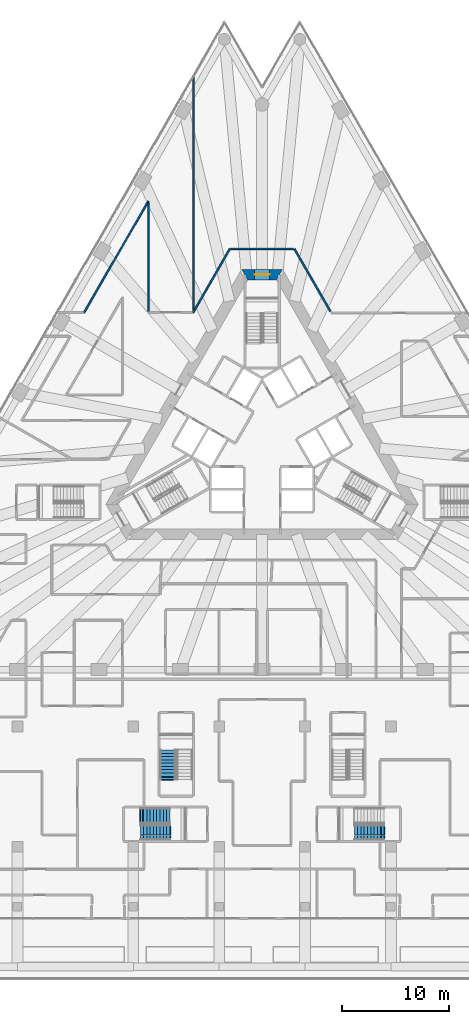
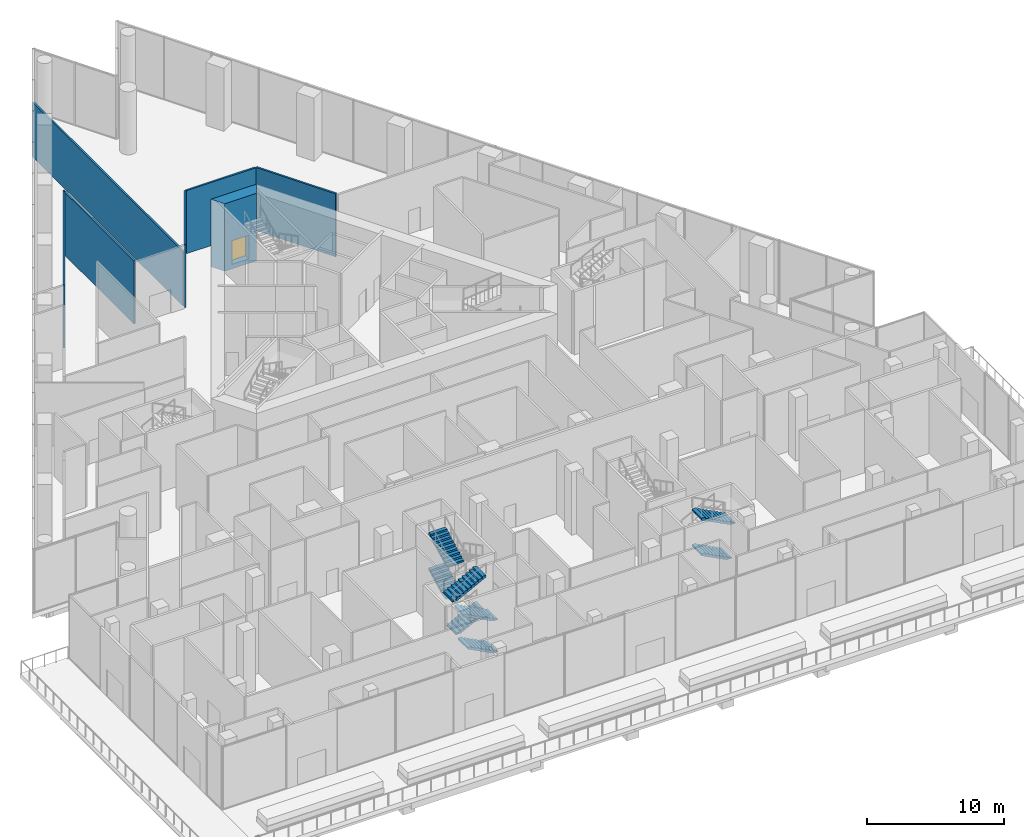
# One storey, part 29 of 36: 8 stair flights, 7 walls, 1 door, 1 opening, 3 elements without a shape of their own.
"""IFC4 building model written with IfcOpenShell, lengths in metres."""

from ifc_helpers import new_model, si_unit, direction, frame, frame_2d, origin, place, context, subcontext, project, spatial, polyline, rectangle, outline, extrude, material, layer, layer_set, type_object, element, fill, aggregate, save


model = new_model("IFC4")

# Units and contexts
model_context = context("Model", 3, precision=1e-05, world=origin(), true_north=direction((0.0, 1.0)))
body_context = subcontext(model_context, "Body", "Model", "MODEL_VIEW")
ifc_project = project(units=[si_unit("LENGTHUNIT", "METRE"), si_unit("AREAUNIT", "SQUARE_METRE"), si_unit("VOLUMEUNIT", "CUBIC_METRE"), si_unit("PLANEANGLEUNIT", "RADIAN"), si_unit("MASSUNIT", "GRAM", prefix="KILO")], contexts=[model_context])

# Site, building, storey
site_placement = place(None, origin())
site = spatial("IfcSite", under=ifc_project, at=site_placement, CompositionType="ELEMENT")
building_placement = place(site_placement, origin())
building = spatial("IfcBuilding", under=site, at=building_placement, Name="Triada Interchange Tower", CompositionType="ELEMENT")
storey_placement = place(building_placement, frame((0.0, 0.0, 8.5)))
storey = spatial("IfcBuildingStorey", under=building, at=storey_placement, Name="L01", CompositionType="ELEMENT", Elevation=8.5)

# Wall, opening, door
ifc_material_1 = material(Name="Concrete C70/85", Category="concrete")
ifc_layer_1 = layer(ifc_material_1, 1.0)
ifc_layer_set_1 = layer_set([ifc_layer_1], Name="Core wall P 1000")
wall_type_1 = type_object("IfcWallType", Name="Core wall P 1000", PredefinedType="SHEAR", material=ifc_layer_set_1)
wall_1_placement = place(storey_placement, frame((1.616943359375, 15.199951171875, -0.39990234375), z_axis=(0.0, 0.0, 1.0), x_axis=(-1.0, 0.0, 0.0)))
wall_1 = element("IfcWall", 1, at=wall_1_placement, inside=storey, type_object=wall_type_1, Name="Core wall WP01 L01", PredefinedType="SHEAR", context=body_context, shape_type="SweptSolid", body=[
    extrude(outline(polyline([(-0.2880859375, -0.5), (1.616943359375, -0.5), (3.52197265625, -0.5), (2.945068359375, 0.5), (1.6171875, 0.5), (0.2890625, 0.5), (-0.2880859375, -0.5)])), origin(), (0.0, 0.0, 1.0), 6.0),
])
opening_placement = place(wall_1_placement, frame((0.9169921875, 0.0, 0.39990234375)))
opening = element("IfcOpeningElement", 2, at=opening_placement, cuts=wall_1, Name="Opening D01-71", PredefinedType="OPENING", context=body_context, shape_type="SweptSolid", body=[
    extrude(rectangle(XDim=1.39990234375, YDim=2.10009765625, at=frame_2d((0.699951171875, 1.050048828125))), frame((0.0, 0.510009765625, 0.0), z_axis=(0.0, -1.0, 0.0), x_axis=(1.0, 0.0, 0.0)), (0.0, 0.0, 1.0), 1.02001953125),
])
ifc_material_2 = material(Name="Steel S235 door leaf", Category="steel")
door_type = type_object("IfcDoorType", Name="STAIR DOOR 1400 EI2 90-C5S200", OperationType="DOUBLE_DOOR_SINGLE_SWING", PredefinedType="DOOR", material=ifc_material_2)
door_placement = place(opening_placement, origin())
door = element("IfcDoor", 3, at=door_placement, inside=storey, type_object=door_type, Name="Door D01-71 L01", OperationType="DOUBLE_DOOR_SINGLE_SWING", OverallHeight=2.10009765625, OverallWidth=1.39990234375, PredefinedType="DOOR", context=body_context, shape_type="SweptSolid", body=[
    extrude(rectangle(XDim=1.39990234375, YDim=2.10009765625, at=frame_2d((0.699951171875, 1.050048828125))), frame((0.0, 0.02490234375, 0.0), z_axis=(0.0, -1.0, 0.0), x_axis=(1.0, 0.0, 0.0)), (0.0, 0.0, 1.0), 0.050048828125),
])
fill(opening, door)

# Walls
ifc_material_3 = material(Name="Gypsum board partition")
ifc_layer_2 = layer(ifc_material_3, 0.14990234375)
ifc_layer_set_2 = layer_set([ifc_layer_2], Name="PARTITION 150 EI 90")
wall_type_2 = type_object("IfcWallType", Name="PARTITION 150 EI 90", PredefinedType="PARTITIONING", material=ifc_layer_set_2)
wall_2_placement = place(storey_placement, frame((-16.593017578125, 11.659912109375, 0.0), z_axis=(0.0, 0.0, 1.0), x_axis=(0.499996923339, 0.866027180088, 0.0)))
element("IfcWall", 4, at=wall_2_placement, inside=storey, type_object=wall_type_2, Name="Wall L01 63", PredefinedType="PARTITIONING", context=body_context, shape_type="SweptSolid", body=[
    extrude(rectangle(XDim=11.98583984375, YDim=0.14990234375, at=frame_2d((5.992919921875, 0.0))), origin(), (0.0, 0.0, 1.0), 5.60009765625),
])
wall_3_placement = place(storey_placement, frame((-6.430908203125, 11.659912109375, 0.0), z_axis=(0.0, 0.0, 1.0), x_axis=(0.499933006778, 0.866064078884, 0.0)))
element("IfcWall", 5, at=wall_3_placement, inside=storey, type_object=wall_type_2, Name="Wall L01 89", PredefinedType="PARTITIONING", context=body_context, shape_type="SweptSolid", body=[
    extrude(rectangle(XDim=6.85888671875, YDim=0.14990234375, at=frame_2d((3.429443359375, 0.0))), origin(), (0.0, 0.0, 1.0), 5.60009765625),
])
wall_4_placement = place(storey_placement, frame((-10.60009765625, 11.735107421875, 0.0), z_axis=(0.0, 0.0, 1.0), x_axis=(0.0, 1.0, 0.0)))
element("IfcWall", 6, at=wall_4_placement, inside=storey, type_object=wall_type_2, Name="Wall L01 94", PredefinedType="PARTITIONING", context=body_context, shape_type="SweptSolid", body=[
    extrude(rectangle(XDim=10.15478515625, YDim=0.14990234375, at=frame_2d((5.077392578125, 0.0))), origin(), (0.0, 0.0, 1.0), 5.60009765625),
])
wall_5_placement = place(storey_placement, frame((-6.3779296875, 11.904052734375, 0.0), z_axis=(0.0, 0.0, 1.0), x_axis=(0.0, 1.0, 0.0)))
element("IfcWall", 7, at=wall_5_placement, inside=storey, type_object=wall_type_2, Name="Wall L01 117", PredefinedType="PARTITIONING", context=body_context, shape_type="SweptSolid", body=[
    extrude(rectangle(XDim=21.848876953125, YDim=0.14990234375, at=frame_2d((10.92431640625, 0.0))), origin(), (0.0, 0.0, 1.0), 4.85009765625),
])
wall_6_placement = place(storey_placement, frame((3.001953125, 17.60009765625, 0.0), z_axis=(0.0, 0.0, 1.0), x_axis=(0.500043638368, -0.866000207695, 0.0)))
element("IfcWall", 8, at=wall_6_placement, inside=storey, type_object=wall_type_2, Name="Wall L01 119", PredefinedType="PARTITIONING", context=body_context, shape_type="SweptSolid", body=[
    extrude(rectangle(XDim=6.71142578125, YDim=0.14990234375, at=frame_2d((3.355712890625, 0.0))), origin(), (0.0, 0.0, 1.0), 5.60009765625),
])
wall_7_placement = place(storey_placement, frame((-2.916015625, 17.60009765625, 0.0), z_axis=(0.0, 0.0, 1.0), x_axis=(1.0, 0.0, 0.0)))
element("IfcWall", 9, at=wall_7_placement, inside=storey, type_object=wall_type_2, Name="Wall L01 120", PredefinedType="PARTITIONING", context=body_context, shape_type="SweptSolid", body=[
    extrude(rectangle(XDim=5.83203125, YDim=0.14990234375, at=frame_2d((2.916015625, 0.0))), origin(), (0.0, 0.0, 1.0), 5.60009765625),
])

# Stair, stair flights
ifc_material_4 = material(Name="Concrete C35/45", Category="concrete")
stair_type = type_object("IfcStairType", Name="HALF TURN STAIR 1400", PredefinedType="HALF_TURN_STAIR", material=ifc_material_4)
stair_1_placement = place(storey_placement, origin())
stair_1 = element("IfcStair", 10, at=stair_1_placement, inside=storey, type_object=stair_type, Name="Exit stair S01-4", PredefinedType="HALF_TURN_STAIR")
stair_flight_type = type_object("IfcStairFlightType", Name="STRAIGHT STAIR FLIGHT 1400", PredefinedType="STRAIGHT", material=ifc_material_4)
stair_flight_1_placement = place(storey_placement, frame((-8.60009765625, -36.800048828125, 0.0), z_axis=(0.0, 0.0, 1.0), x_axis=(-1.0, 0.0, 0.0)))
stair_flight_1 = element("IfcStairFlight", 11, at=stair_flight_1_placement, type_object=stair_flight_type, Name="S01-4 flight 1", NumberOfRisers=9, NumberOfTreads=8, PredefinedType="STRAIGHT", RiserHeight=0.15789, TreadLength=0.305, context=body_context, shape_type="SweptSolid", body=[
    extrude(outline(polyline([(-0.10009765625, 0.0), (-0.10009765625, 0.02001953125), (0.0, 0.02001953125), (0.0, 0.157958984375), (0.304931640625, 0.157958984375), (0.304931640625, 0.315673828125), (0.610107421875, 0.315673828125), (0.610107421875, 0.4736328125), (0.9150390625, 0.4736328125), (0.9150390625, 0.631591796875), (1.219970703125, 0.631591796875), (1.219970703125, 0.78955078125), (1.52490234375, 0.78955078125), (1.52490234375, 0.947265625), (1.830078125, 0.947265625), (1.830078125, 1.105224609375), (2.135009765625, 1.105224609375), (2.135009765625, 1.26318359375), (2.43994140625, 1.26318359375), (2.444091796875, 1.26318359375), (2.444091796875, 1.4208984375), (2.444091796875, 1.09423828125), (0.326171875, 0.0), (-0.10009765625, 0.0)])), frame((0.0, 0.699951171875, 0.0), z_axis=(0.0, -1.0, 0.0), x_axis=(1.0, 0.0, 0.0)), (0.0, 0.0, 1.0), 0.46533203125),
    extrude(outline(polyline([(-0.10009765625, 0.0), (-0.10009765625, 0.02001953125), (0.0, 0.02001953125), (0.0, 0.157958984375), (0.304931640625, 0.157958984375), (0.304931640625, 0.315673828125), (0.610107421875, 0.315673828125), (0.610107421875, 0.4736328125), (0.9150390625, 0.4736328125), (0.9150390625, 0.631591796875), (1.219970703125, 0.631591796875), (1.219970703125, 0.78955078125), (1.52490234375, 0.78955078125), (1.52490234375, 0.947265625), (1.830078125, 0.947265625), (1.830078125, 1.105224609375), (2.135009765625, 1.105224609375), (2.135009765625, 1.26318359375), (2.43994140625, 1.26318359375), (2.444091796875, 1.26318359375), (2.444091796875, 1.4208984375), (2.444091796875, 1.09423828125), (0.326171875, 0.0), (-0.10009765625, 0.0)])), frame((0.0, 0.232666015625, 0.0), z_axis=(0.0, -1.0, 0.0), x_axis=(1.0, 0.0, 0.0)), (0.0, 0.0, 1.0), 0.46533203125),
    extrude(outline(polyline([(-0.10009765625, 0.0), (-0.10009765625, 0.02001953125), (0.0, 0.02001953125), (0.0, 0.157958984375), (0.304931640625, 0.157958984375), (0.304931640625, 0.315673828125), (0.610107421875, 0.315673828125), (0.610107421875, 0.4736328125), (0.9150390625, 0.4736328125), (0.9150390625, 0.631591796875), (1.219970703125, 0.631591796875), (1.219970703125, 0.78955078125), (1.52490234375, 0.78955078125), (1.52490234375, 0.947265625), (1.830078125, 0.947265625), (1.830078125, 1.105224609375), (2.135009765625, 1.105224609375), (2.135009765625, 1.26318359375), (2.43994140625, 1.26318359375), (2.444091796875, 1.26318359375), (2.444091796875, 1.4208984375), (2.444091796875, 1.09423828125), (0.326171875, 0.0), (-0.10009765625, 0.0)])), frame((0.0, -0.234619140625, 0.0), z_axis=(0.0, -1.0, 0.0), x_axis=(1.0, 0.0, 0.0)), (0.0, 0.0, 1.0), 0.46533203125),
])
stair_flight_2_placement = place(storey_placement, frame((-11.0400390625, -35.199951171875, 1.4208984375), z_axis=(0.0, 0.0, 1.0), x_axis=(1.0, 0.0, 0.0)))
stair_flight_2 = element("IfcStairFlight", 12, at=stair_flight_2_placement, type_object=stair_flight_type, Name="S01-4 flight 2", NumberOfRisers=9, NumberOfTreads=8, PredefinedType="STRAIGHT", RiserHeight=0.15789, TreadLength=0.305, context=body_context, shape_type="SweptSolid", body=[
    extrude(outline(polyline([(-0.10009765625, 0.0), (-0.10009765625, 0.02001953125), (0.0, 0.02001953125), (0.0, 0.157958984375), (0.304931640625, 0.157958984375), (0.304931640625, 0.315673828125), (0.610107421875, 0.315673828125), (0.610107421875, 0.4736328125), (0.9150390625, 0.4736328125), (0.9150390625, 0.631591796875), (1.219970703125, 0.631591796875), (1.219970703125, 0.78955078125), (1.52490234375, 0.78955078125), (1.52490234375, 0.947265625), (1.830078125, 0.947265625), (1.830078125, 1.105224609375), (2.135009765625, 1.105224609375), (2.135009765625, 1.26318359375), (2.43994140625, 1.26318359375), (2.444091796875, 1.26318359375), (2.444091796875, 1.4208984375), (2.444091796875, 1.09423828125), (0.326171875, 0.0), (-0.10009765625, 0.0)])), frame((0.0, 0.699951171875, 0.0), z_axis=(0.0, -1.0, 0.0), x_axis=(1.0, 0.0, 0.0)), (0.0, 0.0, 1.0), 0.46533203125),
    extrude(outline(polyline([(-0.10009765625, 0.0), (-0.10009765625, 0.02001953125), (0.0, 0.02001953125), (0.0, 0.157958984375), (0.304931640625, 0.157958984375), (0.304931640625, 0.315673828125), (0.610107421875, 0.315673828125), (0.610107421875, 0.4736328125), (0.9150390625, 0.4736328125), (0.9150390625, 0.631591796875), (1.219970703125, 0.631591796875), (1.219970703125, 0.78955078125), (1.52490234375, 0.78955078125), (1.52490234375, 0.947265625), (1.830078125, 0.947265625), (1.830078125, 1.105224609375), (2.135009765625, 1.105224609375), (2.135009765625, 1.26318359375), (2.43994140625, 1.26318359375), (2.444091796875, 1.26318359375), (2.444091796875, 1.4208984375), (2.444091796875, 1.09423828125), (0.326171875, 0.0), (-0.10009765625, 0.0)])), frame((0.0, 0.232666015625, 0.0), z_axis=(0.0, -1.0, 0.0), x_axis=(1.0, 0.0, 0.0)), (0.0, 0.0, 1.0), 0.46533203125),
    extrude(outline(polyline([(-0.10009765625, 0.0), (-0.10009765625, 0.02001953125), (0.0, 0.02001953125), (0.0, 0.157958984375), (0.304931640625, 0.157958984375), (0.304931640625, 0.315673828125), (0.610107421875, 0.315673828125), (0.610107421875, 0.4736328125), (0.9150390625, 0.4736328125), (0.9150390625, 0.631591796875), (1.219970703125, 0.631591796875), (1.219970703125, 0.78955078125), (1.52490234375, 0.78955078125), (1.52490234375, 0.947265625), (1.830078125, 0.947265625), (1.830078125, 1.105224609375), (2.135009765625, 1.105224609375), (2.135009765625, 1.26318359375), (2.43994140625, 1.26318359375), (2.444091796875, 1.26318359375), (2.444091796875, 1.4208984375), (2.444091796875, 1.09423828125), (0.326171875, 0.0), (-0.10009765625, 0.0)])), frame((0.0, -0.234619140625, 0.0), z_axis=(0.0, -1.0, 0.0), x_axis=(1.0, 0.0, 0.0)), (0.0, 0.0, 1.0), 0.46533203125),
])
stair_flight_3_placement = place(storey_placement, frame((-8.60009765625, -36.800048828125, 2.842041015625), z_axis=(0.0, 0.0, 1.0), x_axis=(-1.0, 0.0, 0.0)))
stair_flight_3 = element("IfcStairFlight", 13, at=stair_flight_3_placement, type_object=stair_flight_type, Name="S01-4 flight 3", NumberOfRisers=10, NumberOfTreads=9, PredefinedType="STRAIGHT", RiserHeight=0.15789, TreadLength=0.305, context=body_context, shape_type="SweptSolid", body=[
    extrude(outline(polyline([(-0.10009765625, 0.0), (-0.10009765625, 0.02001953125), (0.0, 0.02001953125), (0.0, 0.157958984375), (0.304931640625, 0.157958984375), (0.304931640625, 0.315673828125), (0.610107421875, 0.315673828125), (0.610107421875, 0.4736328125), (0.9150390625, 0.4736328125), (0.9150390625, 0.631591796875), (1.219970703125, 0.631591796875), (1.219970703125, 0.78955078125), (1.52490234375, 0.78955078125), (1.52490234375, 0.947265625), (1.830078125, 0.947265625), (1.830078125, 1.105224609375), (2.135009765625, 1.105224609375), (2.135009765625, 1.26318359375), (2.43994140625, 1.26318359375), (2.43994140625, 1.4208984375), (2.7451171875, 1.4208984375), (2.7490234375, 1.4208984375), (2.7490234375, 1.578857421875), (2.7490234375, 1.252197265625), (0.326171875, 0.0), (-0.10009765625, 0.0)])), frame((0.0, 0.699951171875, 0.0), z_axis=(0.0, -1.0, 0.0), x_axis=(1.0, 0.0, 0.0)), (0.0, 0.0, 1.0), 0.46533203125),
    extrude(outline(polyline([(-0.10009765625, 0.0), (-0.10009765625, 0.02001953125), (0.0, 0.02001953125), (0.0, 0.157958984375), (0.304931640625, 0.157958984375), (0.304931640625, 0.315673828125), (0.610107421875, 0.315673828125), (0.610107421875, 0.4736328125), (0.9150390625, 0.4736328125), (0.9150390625, 0.631591796875), (1.219970703125, 0.631591796875), (1.219970703125, 0.78955078125), (1.52490234375, 0.78955078125), (1.52490234375, 0.947265625), (1.830078125, 0.947265625), (1.830078125, 1.105224609375), (2.135009765625, 1.105224609375), (2.135009765625, 1.26318359375), (2.43994140625, 1.26318359375), (2.43994140625, 1.4208984375), (2.7451171875, 1.4208984375), (2.7490234375, 1.4208984375), (2.7490234375, 1.578857421875), (2.7490234375, 1.252197265625), (0.326171875, 0.0), (-0.10009765625, 0.0)])), frame((0.0, 0.232666015625, 0.0), z_axis=(0.0, -1.0, 0.0), x_axis=(1.0, 0.0, 0.0)), (0.0, 0.0, 1.0), 0.46533203125),
    extrude(outline(polyline([(-0.10009765625, 0.0), (-0.10009765625, 0.02001953125), (0.0, 0.02001953125), (0.0, 0.157958984375), (0.304931640625, 0.157958984375), (0.304931640625, 0.315673828125), (0.610107421875, 0.315673828125), (0.610107421875, 0.4736328125), (0.9150390625, 0.4736328125), (0.9150390625, 0.631591796875), (1.219970703125, 0.631591796875), (1.219970703125, 0.78955078125), (1.52490234375, 0.78955078125), (1.52490234375, 0.947265625), (1.830078125, 0.947265625), (1.830078125, 1.105224609375), (2.135009765625, 1.105224609375), (2.135009765625, 1.26318359375), (2.43994140625, 1.26318359375), (2.43994140625, 1.4208984375), (2.7451171875, 1.4208984375), (2.7490234375, 1.4208984375), (2.7490234375, 1.578857421875), (2.7490234375, 1.252197265625), (0.326171875, 0.0), (-0.10009765625, 0.0)])), frame((0.0, -0.234619140625, 0.0), z_axis=(0.0, -1.0, 0.0), x_axis=(1.0, 0.0, 0.0)), (0.0, 0.0, 1.0), 0.46533203125),
])
stair_flight_4_placement = place(storey_placement, frame((-11.344970703125, -35.199951171875, 4.4208984375), z_axis=(0.0, 0.0, 1.0), x_axis=(1.0, 0.0, 0.0)))
stair_flight_4 = element("IfcStairFlight", 14, at=stair_flight_4_placement, type_object=stair_flight_type, Name="S01-4 flight 4", NumberOfRisers=10, NumberOfTreads=9, PredefinedType="STRAIGHT", RiserHeight=0.15789, TreadLength=0.305, context=body_context, shape_type="SweptSolid", body=[
    extrude(outline(polyline([(-0.10009765625, 0.0), (-0.10009765625, 0.02001953125), (0.0, 0.02001953125), (0.0, 0.157958984375), (0.304931640625, 0.157958984375), (0.304931640625, 0.315673828125), (0.610107421875, 0.315673828125), (0.610107421875, 0.4736328125), (0.9150390625, 0.4736328125), (0.9150390625, 0.631591796875), (1.219970703125, 0.631591796875), (1.219970703125, 0.78955078125), (1.52490234375, 0.78955078125), (1.52490234375, 0.947265625), (1.830078125, 0.947265625), (1.830078125, 1.105224609375), (2.135009765625, 1.105224609375), (2.135009765625, 1.26318359375), (2.43994140625, 1.26318359375), (2.43994140625, 1.4208984375), (2.7451171875, 1.4208984375), (2.7490234375, 1.4208984375), (2.7490234375, 1.578857421875), (2.7490234375, 1.252197265625), (0.326171875, 0.0), (-0.10009765625, 0.0)])), frame((0.0, 0.699951171875, 0.0), z_axis=(0.0, -1.0, 0.0), x_axis=(1.0, 0.0, 0.0)), (0.0, 0.0, 1.0), 0.46533203125),
    extrude(outline(polyline([(-0.10009765625, 0.0), (-0.10009765625, 0.02001953125), (0.0, 0.02001953125), (0.0, 0.157958984375), (0.304931640625, 0.157958984375), (0.304931640625, 0.315673828125), (0.610107421875, 0.315673828125), (0.610107421875, 0.4736328125), (0.9150390625, 0.4736328125), (0.9150390625, 0.631591796875), (1.219970703125, 0.631591796875), (1.219970703125, 0.78955078125), (1.52490234375, 0.78955078125), (1.52490234375, 0.947265625), (1.830078125, 0.947265625), (1.830078125, 1.105224609375), (2.135009765625, 1.105224609375), (2.135009765625, 1.26318359375), (2.43994140625, 1.26318359375), (2.43994140625, 1.4208984375), (2.7451171875, 1.4208984375), (2.7490234375, 1.4208984375), (2.7490234375, 1.578857421875), (2.7490234375, 1.252197265625), (0.326171875, 0.0), (-0.10009765625, 0.0)])), frame((0.0, 0.232666015625, 0.0), z_axis=(0.0, -1.0, 0.0), x_axis=(1.0, 0.0, 0.0)), (0.0, 0.0, 1.0), 0.46533203125),
    extrude(outline(polyline([(-0.10009765625, 0.0), (-0.10009765625, 0.02001953125), (0.0, 0.02001953125), (0.0, 0.157958984375), (0.304931640625, 0.157958984375), (0.304931640625, 0.315673828125), (0.610107421875, 0.315673828125), (0.610107421875, 0.4736328125), (0.9150390625, 0.4736328125), (0.9150390625, 0.631591796875), (1.219970703125, 0.631591796875), (1.219970703125, 0.78955078125), (1.52490234375, 0.78955078125), (1.52490234375, 0.947265625), (1.830078125, 0.947265625), (1.830078125, 1.105224609375), (2.135009765625, 1.105224609375), (2.135009765625, 1.26318359375), (2.43994140625, 1.26318359375), (2.43994140625, 1.4208984375), (2.7451171875, 1.4208984375), (2.7490234375, 1.4208984375), (2.7490234375, 1.578857421875), (2.7490234375, 1.252197265625), (0.326171875, 0.0), (-0.10009765625, 0.0)])), frame((0.0, -0.234619140625, 0.0), z_axis=(0.0, -1.0, 0.0), x_axis=(1.0, 0.0, 0.0)), (0.0, 0.0, 1.0), 0.46533203125),
])
aggregate(stair_1, [stair_flight_1, stair_flight_2, stair_flight_3, stair_flight_4])

stair_2_placement = place(storey_placement, origin())
stair_2 = element("IfcStair", 15, at=stair_2_placement, inside=storey, type_object=stair_type, Name="Exit stair S01-5", PredefinedType="HALF_TURN_STAIR")
stair_flight_5_placement = place(storey_placement, frame((11.0400390625, -36.800048828125, 1.4208984375), z_axis=(0.0, 0.0, 1.0), x_axis=(-1.0, 0.0, 0.0)))
stair_flight_5 = element("IfcStairFlight", 16, at=stair_flight_5_placement, type_object=stair_flight_type, Name="S01-5 flight 2", NumberOfRisers=9, NumberOfTreads=8, PredefinedType="STRAIGHT", RiserHeight=0.15789, TreadLength=0.305, context=body_context, shape_type="SweptSolid", body=[
    extrude(outline(polyline([(-0.10009765625, 0.0), (-0.10009765625, 0.02001953125), (0.0, 0.02001953125), (0.0, 0.157958984375), (0.304931640625, 0.157958984375), (0.304931640625, 0.315673828125), (0.610107421875, 0.315673828125), (0.610107421875, 0.4736328125), (0.9150390625, 0.4736328125), (0.9150390625, 0.631591796875), (1.219970703125, 0.631591796875), (1.219970703125, 0.78955078125), (1.52490234375, 0.78955078125), (1.52490234375, 0.947265625), (1.830078125, 0.947265625), (1.830078125, 1.105224609375), (2.135009765625, 1.105224609375), (2.135009765625, 1.26318359375), (2.43994140625, 1.26318359375), (2.444091796875, 1.26318359375), (2.444091796875, 1.4208984375), (2.444091796875, 1.09423828125), (0.326171875, 0.0), (-0.10009765625, 0.0)])), frame((0.0, 0.699951171875, 0.0), z_axis=(0.0, -1.0, 0.0), x_axis=(1.0, 0.0, 0.0)), (0.0, 0.0, 1.0), 0.46533203125),
    extrude(outline(polyline([(-0.10009765625, 0.0), (-0.10009765625, 0.02001953125), (0.0, 0.02001953125), (0.0, 0.157958984375), (0.304931640625, 0.157958984375), (0.304931640625, 0.315673828125), (0.610107421875, 0.315673828125), (0.610107421875, 0.4736328125), (0.9150390625, 0.4736328125), (0.9150390625, 0.631591796875), (1.219970703125, 0.631591796875), (1.219970703125, 0.78955078125), (1.52490234375, 0.78955078125), (1.52490234375, 0.947265625), (1.830078125, 0.947265625), (1.830078125, 1.105224609375), (2.135009765625, 1.105224609375), (2.135009765625, 1.26318359375), (2.43994140625, 1.26318359375), (2.444091796875, 1.26318359375), (2.444091796875, 1.4208984375), (2.444091796875, 1.09423828125), (0.326171875, 0.0), (-0.10009765625, 0.0)])), frame((0.0, 0.232666015625, 0.0), z_axis=(0.0, -1.0, 0.0), x_axis=(1.0, 0.0, 0.0)), (0.0, 0.0, 1.0), 0.46533203125),
    extrude(outline(polyline([(-0.10009765625, 0.0), (-0.10009765625, 0.02001953125), (0.0, 0.02001953125), (0.0, 0.157958984375), (0.304931640625, 0.157958984375), (0.304931640625, 0.315673828125), (0.610107421875, 0.315673828125), (0.610107421875, 0.4736328125), (0.9150390625, 0.4736328125), (0.9150390625, 0.631591796875), (1.219970703125, 0.631591796875), (1.219970703125, 0.78955078125), (1.52490234375, 0.78955078125), (1.52490234375, 0.947265625), (1.830078125, 0.947265625), (1.830078125, 1.105224609375), (2.135009765625, 1.105224609375), (2.135009765625, 1.26318359375), (2.43994140625, 1.26318359375), (2.444091796875, 1.26318359375), (2.444091796875, 1.4208984375), (2.444091796875, 1.09423828125), (0.326171875, 0.0), (-0.10009765625, 0.0)])), frame((0.0, -0.234619140625, 0.0), z_axis=(0.0, -1.0, 0.0), x_axis=(1.0, 0.0, 0.0)), (0.0, 0.0, 1.0), 0.46533203125),
])
stair_flight_6_placement = place(storey_placement, frame((11.344970703125, -36.800048828125, 4.4208984375), z_axis=(0.0, 0.0, 1.0), x_axis=(-1.0, 0.0, 0.0)))
stair_flight_6 = element("IfcStairFlight", 17, at=stair_flight_6_placement, type_object=stair_flight_type, Name="S01-5 flight 4", NumberOfRisers=10, NumberOfTreads=9, PredefinedType="STRAIGHT", RiserHeight=0.15789, TreadLength=0.305, context=body_context, shape_type="SweptSolid", body=[
    extrude(outline(polyline([(-0.10009765625, 0.0), (-0.10009765625, 0.02001953125), (0.0, 0.02001953125), (0.0, 0.157958984375), (0.304931640625, 0.157958984375), (0.304931640625, 0.315673828125), (0.610107421875, 0.315673828125), (0.610107421875, 0.4736328125), (0.9150390625, 0.4736328125), (0.9150390625, 0.631591796875), (1.219970703125, 0.631591796875), (1.219970703125, 0.78955078125), (1.52490234375, 0.78955078125), (1.52490234375, 0.947265625), (1.830078125, 0.947265625), (1.830078125, 1.105224609375), (2.135009765625, 1.105224609375), (2.135009765625, 1.26318359375), (2.43994140625, 1.26318359375), (2.43994140625, 1.4208984375), (2.7451171875, 1.4208984375), (2.7490234375, 1.4208984375), (2.7490234375, 1.578857421875), (2.7490234375, 1.252197265625), (0.326171875, 0.0), (-0.10009765625, 0.0)])), frame((0.0, 0.699951171875, 0.0), z_axis=(0.0, -1.0, 0.0), x_axis=(1.0, 0.0, 0.0)), (0.0, 0.0, 1.0), 0.46533203125),
    extrude(outline(polyline([(-0.10009765625, 0.0), (-0.10009765625, 0.02001953125), (0.0, 0.02001953125), (0.0, 0.157958984375), (0.304931640625, 0.157958984375), (0.304931640625, 0.315673828125), (0.610107421875, 0.315673828125), (0.610107421875, 0.4736328125), (0.9150390625, 0.4736328125), (0.9150390625, 0.631591796875), (1.219970703125, 0.631591796875), (1.219970703125, 0.78955078125), (1.52490234375, 0.78955078125), (1.52490234375, 0.947265625), (1.830078125, 0.947265625), (1.830078125, 1.105224609375), (2.135009765625, 1.105224609375), (2.135009765625, 1.26318359375), (2.43994140625, 1.26318359375), (2.43994140625, 1.4208984375), (2.7451171875, 1.4208984375), (2.7490234375, 1.4208984375), (2.7490234375, 1.578857421875), (2.7490234375, 1.252197265625), (0.326171875, 0.0), (-0.10009765625, 0.0)])), frame((0.0, 0.232666015625, 0.0), z_axis=(0.0, -1.0, 0.0), x_axis=(1.0, 0.0, 0.0)), (0.0, 0.0, 1.0), 0.46533203125),
    extrude(outline(polyline([(-0.10009765625, 0.0), (-0.10009765625, 0.02001953125), (0.0, 0.02001953125), (0.0, 0.157958984375), (0.304931640625, 0.157958984375), (0.304931640625, 0.315673828125), (0.610107421875, 0.315673828125), (0.610107421875, 0.4736328125), (0.9150390625, 0.4736328125), (0.9150390625, 0.631591796875), (1.219970703125, 0.631591796875), (1.219970703125, 0.78955078125), (1.52490234375, 0.78955078125), (1.52490234375, 0.947265625), (1.830078125, 0.947265625), (1.830078125, 1.105224609375), (2.135009765625, 1.105224609375), (2.135009765625, 1.26318359375), (2.43994140625, 1.26318359375), (2.43994140625, 1.4208984375), (2.7451171875, 1.4208984375), (2.7490234375, 1.4208984375), (2.7490234375, 1.578857421875), (2.7490234375, 1.252197265625), (0.326171875, 0.0), (-0.10009765625, 0.0)])), frame((0.0, -0.234619140625, 0.0), z_axis=(0.0, -1.0, 0.0), x_axis=(1.0, 0.0, 0.0)), (0.0, 0.0, 1.0), 0.46533203125),
])
aggregate(stair_2, [stair_flight_5, stair_flight_6])

stair_3_placement = place(storey_placement, origin())
stair_3 = element("IfcStair", 18, at=stair_3_placement, inside=storey, type_object=stair_type, Name="Exit stair S01-11", PredefinedType="HALF_TURN_STAIR")
stair_flight_7_placement = place(storey_placement, frame((-8.800048828125, -31.5400390625, 1.4208984375), z_axis=(0.0, 0.0, 1.0), x_axis=(0.0, 1.0, 0.0)))
stair_flight_7 = element("IfcStairFlight", 19, at=stair_flight_7_placement, type_object=stair_flight_type, Name="S01-11 flight 2", NumberOfRisers=9, NumberOfTreads=8, PredefinedType="STRAIGHT", RiserHeight=0.15789, TreadLength=0.305, context=body_context, shape_type="SweptSolid", body=[
    extrude(outline(polyline([(-0.10009765625, 0.0), (-0.10009765625, 0.02001953125), (0.0, 0.02001953125), (0.0, 0.157958984375), (0.304931640625, 0.157958984375), (0.304931640625, 0.315673828125), (0.610107421875, 0.315673828125), (0.610107421875, 0.4736328125), (0.9150390625, 0.4736328125), (0.9150390625, 0.631591796875), (1.219970703125, 0.631591796875), (1.219970703125, 0.78955078125), (1.52490234375, 0.78955078125), (1.52490234375, 0.947265625), (1.830078125, 0.947265625), (1.830078125, 1.105224609375), (2.135009765625, 1.105224609375), (2.135009765625, 1.26318359375), (2.43994140625, 1.26318359375), (2.444091796875, 1.26318359375), (2.444091796875, 1.4208984375), (2.444091796875, 1.09423828125), (0.326171875, 0.0), (-0.10009765625, 0.0)])), frame((0.0, 0.699951171875, 0.0), z_axis=(0.0, -1.0, 0.0), x_axis=(1.0, 0.0, 0.0)), (0.0, 0.0, 1.0), 0.46533203125),
    extrude(outline(polyline([(-0.10009765625, 0.0), (-0.10009765625, 0.02001953125), (0.0, 0.02001953125), (0.0, 0.157958984375), (0.304931640625, 0.157958984375), (0.304931640625, 0.315673828125), (0.610107421875, 0.315673828125), (0.610107421875, 0.4736328125), (0.9150390625, 0.4736328125), (0.9150390625, 0.631591796875), (1.219970703125, 0.631591796875), (1.219970703125, 0.78955078125), (1.52490234375, 0.78955078125), (1.52490234375, 0.947265625), (1.830078125, 0.947265625), (1.830078125, 1.105224609375), (2.135009765625, 1.105224609375), (2.135009765625, 1.26318359375), (2.43994140625, 1.26318359375), (2.444091796875, 1.26318359375), (2.444091796875, 1.4208984375), (2.444091796875, 1.09423828125), (0.326171875, 0.0), (-0.10009765625, 0.0)])), frame((0.0, 0.232666015625, 0.0), z_axis=(0.0, -1.0, 0.0), x_axis=(1.0, 0.0, 0.0)), (0.0, 0.0, 1.0), 0.46533203125),
    extrude(outline(polyline([(-0.10009765625, 0.0), (-0.10009765625, 0.02001953125), (0.0, 0.02001953125), (0.0, 0.157958984375), (0.304931640625, 0.157958984375), (0.304931640625, 0.315673828125), (0.610107421875, 0.315673828125), (0.610107421875, 0.4736328125), (0.9150390625, 0.4736328125), (0.9150390625, 0.631591796875), (1.219970703125, 0.631591796875), (1.219970703125, 0.78955078125), (1.52490234375, 0.78955078125), (1.52490234375, 0.947265625), (1.830078125, 0.947265625), (1.830078125, 1.105224609375), (2.135009765625, 1.105224609375), (2.135009765625, 1.26318359375), (2.43994140625, 1.26318359375), (2.444091796875, 1.26318359375), (2.444091796875, 1.4208984375), (2.444091796875, 1.09423828125), (0.326171875, 0.0), (-0.10009765625, 0.0)])), frame((0.0, -0.234619140625, 0.0), z_axis=(0.0, -1.0, 0.0), x_axis=(1.0, 0.0, 0.0)), (0.0, 0.0, 1.0), 0.46533203125),
])
stair_flight_8_placement = place(storey_placement, frame((-8.800048828125, -31.844970703125, 4.4208984375), z_axis=(0.0, 0.0, 1.0), x_axis=(0.0, 1.0, 0.0)))
stair_flight_8 = element("IfcStairFlight", 20, at=stair_flight_8_placement, type_object=stair_flight_type, Name="S01-11 flight 4", NumberOfRisers=10, NumberOfTreads=9, PredefinedType="STRAIGHT", RiserHeight=0.15789, TreadLength=0.305, context=body_context, shape_type="SweptSolid", body=[
    extrude(outline(polyline([(-0.10009765625, 0.0), (-0.10009765625, 0.02001953125), (0.0, 0.02001953125), (0.0, 0.157958984375), (0.304931640625, 0.157958984375), (0.304931640625, 0.315673828125), (0.610107421875, 0.315673828125), (0.610107421875, 0.4736328125), (0.9150390625, 0.4736328125), (0.9150390625, 0.631591796875), (1.219970703125, 0.631591796875), (1.219970703125, 0.78955078125), (1.52490234375, 0.78955078125), (1.52490234375, 0.947265625), (1.830078125, 0.947265625), (1.830078125, 1.105224609375), (2.135009765625, 1.105224609375), (2.135009765625, 1.26318359375), (2.43994140625, 1.26318359375), (2.43994140625, 1.4208984375), (2.7451171875, 1.4208984375), (2.7490234375, 1.4208984375), (2.7490234375, 1.578857421875), (2.7490234375, 1.252197265625), (0.326171875, 0.0), (-0.10009765625, 0.0)])), frame((0.0, 0.699951171875, 0.0), z_axis=(0.0, -1.0, 0.0), x_axis=(1.0, 0.0, 0.0)), (0.0, 0.0, 1.0), 0.46533203125),
    extrude(outline(polyline([(-0.10009765625, 0.0), (-0.10009765625, 0.02001953125), (0.0, 0.02001953125), (0.0, 0.157958984375), (0.304931640625, 0.157958984375), (0.304931640625, 0.315673828125), (0.610107421875, 0.315673828125), (0.610107421875, 0.4736328125), (0.9150390625, 0.4736328125), (0.9150390625, 0.631591796875), (1.219970703125, 0.631591796875), (1.219970703125, 0.78955078125), (1.52490234375, 0.78955078125), (1.52490234375, 0.947265625), (1.830078125, 0.947265625), (1.830078125, 1.105224609375), (2.135009765625, 1.105224609375), (2.135009765625, 1.26318359375), (2.43994140625, 1.26318359375), (2.43994140625, 1.4208984375), (2.7451171875, 1.4208984375), (2.7490234375, 1.4208984375), (2.7490234375, 1.578857421875), (2.7490234375, 1.252197265625), (0.326171875, 0.0), (-0.10009765625, 0.0)])), frame((0.0, 0.232666015625, 0.0), z_axis=(0.0, -1.0, 0.0), x_axis=(1.0, 0.0, 0.0)), (0.0, 0.0, 1.0), 0.46533203125),
    extrude(outline(polyline([(-0.10009765625, 0.0), (-0.10009765625, 0.02001953125), (0.0, 0.02001953125), (0.0, 0.157958984375), (0.304931640625, 0.157958984375), (0.304931640625, 0.315673828125), (0.610107421875, 0.315673828125), (0.610107421875, 0.4736328125), (0.9150390625, 0.4736328125), (0.9150390625, 0.631591796875), (1.219970703125, 0.631591796875), (1.219970703125, 0.78955078125), (1.52490234375, 0.78955078125), (1.52490234375, 0.947265625), (1.830078125, 0.947265625), (1.830078125, 1.105224609375), (2.135009765625, 1.105224609375), (2.135009765625, 1.26318359375), (2.43994140625, 1.26318359375), (2.43994140625, 1.4208984375), (2.7451171875, 1.4208984375), (2.7490234375, 1.4208984375), (2.7490234375, 1.578857421875), (2.7490234375, 1.252197265625), (0.326171875, 0.0), (-0.10009765625, 0.0)])), frame((0.0, -0.234619140625, 0.0), z_axis=(0.0, -1.0, 0.0), x_axis=(1.0, 0.0, 0.0)), (0.0, 0.0, 1.0), 0.46533203125),
])
aggregate(stair_3, [stair_flight_7, stair_flight_8])

save(model, "model.ifc")
